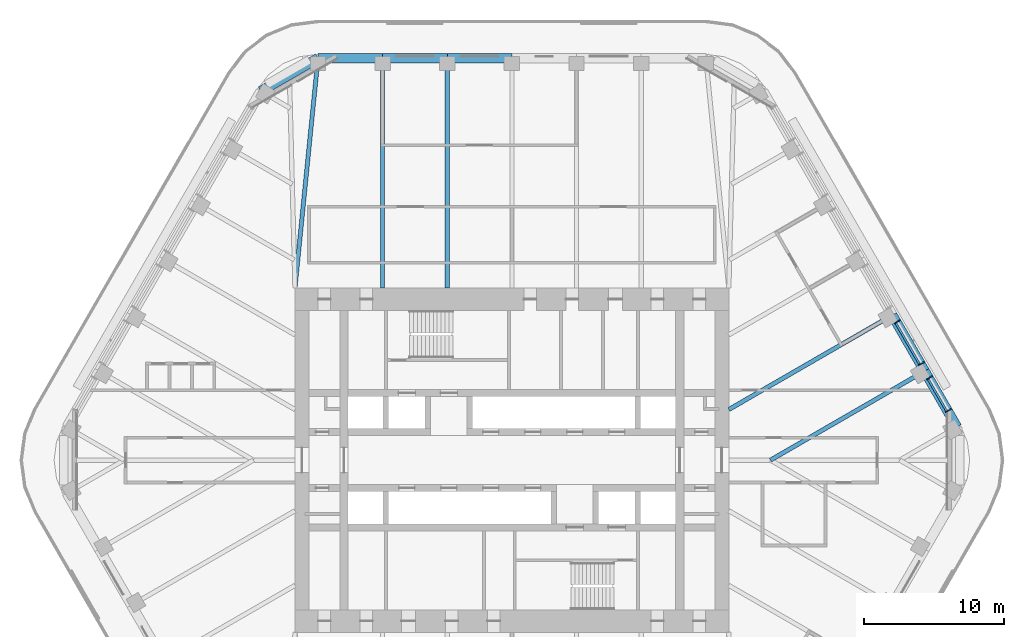
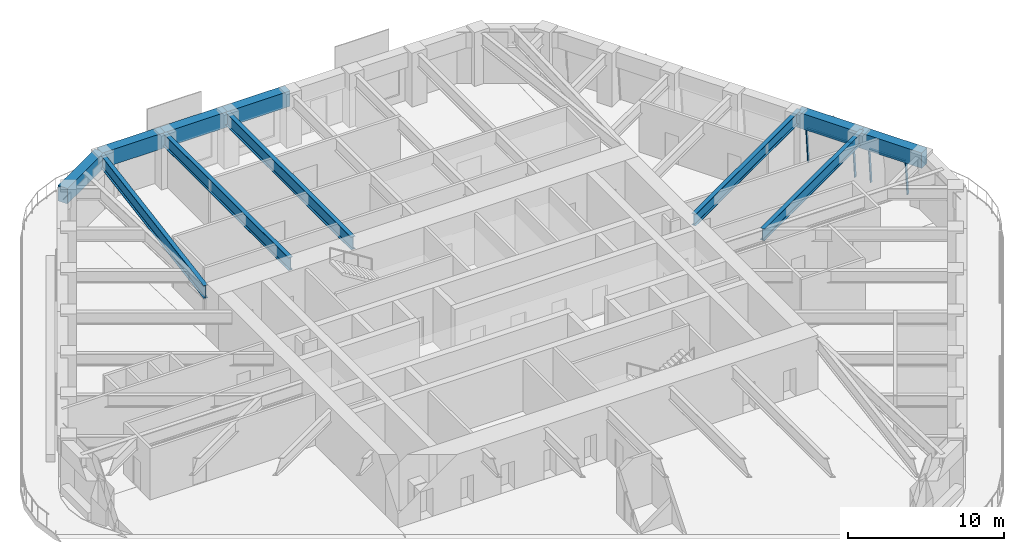
# One storey, part 9 of 20: 11 beams, 6 members, 2 elements without a shape of their own.
"""IFC4 building model written with IfcOpenShell, lengths in metres."""

from ifc_helpers import new_model, si_unit, direction, frame, origin, origin_2d, place, context, subcontext, project, spatial, rectangle, i_section, extrude, material, material_profile, profile_set, type_object, element, aggregate, save


model = new_model("IFC4")

# Units and contexts
model_context = context("Model", 3, precision=1e-05, world=origin(), true_north=direction((0.0, 1.0)))
body_context = subcontext(model_context, "Body", "Model", "MODEL_VIEW")
ifc_project = project(units=[si_unit("LENGTHUNIT", "METRE"), si_unit("AREAUNIT", "SQUARE_METRE"), si_unit("VOLUMEUNIT", "CUBIC_METRE"), si_unit("PLANEANGLEUNIT", "RADIAN"), si_unit("MASSUNIT", "GRAM", prefix="KILO")], contexts=[model_context])

# Site, building, storey
site_placement = place(None, origin())
site = spatial("IfcSite", under=ifc_project, at=site_placement, CompositionType="ELEMENT")
building_placement = place(site_placement, origin())
building = spatial("IfcBuilding", under=site, at=building_placement, Name="Tarfa Lantern Tower", CompositionType="ELEMENT")
storey_placement = place(building_placement, frame((0.0, 0.0, 278.5)))
storey = spatial("IfcBuildingStorey", under=building, at=storey_placement, Name="L63", CompositionType="ELEMENT", Elevation=278.5)

# Curtain wall, members
ifc_material_1 = material(Name="Aluminium framed curtain wall", Category="aluminium")
curtain_wall_type = type_object("IfcCurtainWallType", Name="CW3 CANTED GLAZING HIGH ZONE 2800", PredefinedType="USERDEFINED", material=ifc_material_1)
curtain_wall_1_placement = place(storey_placement, origin())
curtain_wall_1 = element("IfcCurtainWall", 1, at=curtain_wall_1_placement, inside=storey, type_object=curtain_wall_type, Name="CW3 NE L63", ObjectType="CURTAIN WALL", PredefinedType="USERDEFINED")
ifc_material_2 = material(Name="Aluminium mullion", Category="aluminium")
ifc_material_profile_1 = material_profile(ifc_material_2, rectangle(XDim=0.06494140625, YDim=0.199951171875, at=origin_2d()), Name="AL MULLION 65x200")
ifc_profile_set_1 = profile_set([ifc_material_profile_1], Name="Aluminium mullion")
member_type_1 = type_object("IfcMemberType", Name="CWM1 MULLION 65x200", PredefinedType="MULLION", material=ifc_profile_set_1)
member_1_placement = place(storey_placement, frame((31.2900390625, 3.60400390625, 0.0), z_axis=(-0.077032386753, -0.044465143199, 0.996036576854), x_axis=(0.499919672301, -0.866071776036, 0.0)))
member_1 = element("IfcMember", 2, at=member_1_placement, type_object=member_type_1, Name="CW3 mullion 1", PredefinedType="MULLION", context=body_context, shape_type="SweptSolid", body=[
    extrude(rectangle(XDim=0.06494140625, YDim=0.199951171875, at=origin_2d()), origin(), (0.0, 0.0, 1.0), 2.811279296875),
])
member_2_placement = place(storey_placement, frame((29.938232421875, 5.945556640625, 0.0), z_axis=(-0.077032386753, -0.044465143199, 0.996036576854), x_axis=(0.499919672301, -0.866071776036, 0.0)))
member_2 = element("IfcMember", 3, at=member_2_placement, type_object=member_type_1, Name="CW3 mullion 2", PredefinedType="MULLION", context=body_context, shape_type="SweptSolid", body=[
    extrude(rectangle(XDim=0.06494140625, YDim=0.199951171875, at=origin_2d()), origin(), (0.0, 0.0, 1.0), 2.811279296875),
])

curtain_wall_2_placement = place(storey_placement, origin())
curtain_wall_2 = element("IfcCurtainWall", 4, at=curtain_wall_2_placement, inside=storey, type_object=curtain_wall_type, Name="CW3 NE L63", ObjectType="CURTAIN WALL", PredefinedType="USERDEFINED")
member_3_placement = place(storey_placement, frame((29.355712890625, 6.954345703125, 0.0), z_axis=(-0.077032386753, -0.044465143199, 0.996036576854), x_axis=(0.499919672301, -0.866071776036, 0.0)))
member_3 = element("IfcMember", 5, at=member_3_placement, type_object=member_type_1, Name="CW3 mullion 1", PredefinedType="MULLION", context=body_context, shape_type="SweptSolid", body=[
    extrude(rectangle(XDim=0.06494140625, YDim=0.199951171875, at=origin_2d()), origin(), (0.0, 0.0, 1.0), 2.811279296875),
])
member_4_placement = place(storey_placement, frame((27.62890625, 9.945556640625, 0.0), z_axis=(-0.077032386753, -0.044465143199, 0.996036576854), x_axis=(0.499919672301, -0.866071776036, 0.0)))
member_4 = element("IfcMember", 6, at=member_4_placement, type_object=member_type_1, Name="CW3 mullion 2", PredefinedType="MULLION", context=body_context, shape_type="SweptSolid", body=[
    extrude(rectangle(XDim=0.06494140625, YDim=0.199951171875, at=origin_2d()), origin(), (0.0, 0.0, 1.0), 2.811279296875),
])

# Member
ifc_material_3 = material(Name="Aluminium transom", Category="aluminium")
ifc_material_profile_2 = material_profile(ifc_material_3, rectangle(XDim=0.14990234375, YDim=0.06494140625, at=origin_2d()), Name="AL TRANSOM 150x65")
ifc_profile_set_2 = profile_set([ifc_material_profile_2], Name="Aluminium transom")
member_type_2 = type_object("IfcMemberType", Name="CWT1 TRANSOM 150x65", PredefinedType="USERDEFINED", material=ifc_profile_set_2)
member_5_placement = place(storey_placement, frame((31.059814453125, 3.508544921875, 2.767578125), z_axis=(-0.499960041298, 0.866048472723, 0.0), x_axis=(-0.866048472723, -0.499960041298, 0.0)))
member_5 = element("IfcMember", 7, at=member_5_placement, type_object=member_type_2, Name="CW3 transom 1.2", ObjectType="TRANSOM", PredefinedType="USERDEFINED", context=body_context, shape_type="SweptSolid", body=[
    extrude(rectangle(XDim=0.14990234375, YDim=0.06494140625, at=origin_2d()), origin(), (0.0, 0.0, 1.0), 2.638916015625),
])

aggregate(curtain_wall_1, [member_1, member_2, member_5])

member_6_placement = place(storey_placement, frame((29.12548828125, 6.859130859375, 2.767578125), z_axis=(-0.499982299553, 0.866035622901, 0.0), x_axis=(-0.866035622901, -0.499982299553, 0.0)))
member_6 = element("IfcMember", 8, at=member_6_placement, type_object=member_type_2, Name="CW3 transom 1.2", ObjectType="TRANSOM", PredefinedType="USERDEFINED", context=body_context, shape_type="SweptSolid", body=[
    extrude(rectangle(XDim=0.14990234375, YDim=0.06494140625, at=origin_2d()), origin(), (0.0, 0.0, 1.0), 3.388671875),
])

aggregate(curtain_wall_2, [member_3, member_4, member_6])

# Beams
ifc_material_4 = material(Name="Concrete C80/95", Category="concrete")
ifc_material_profile_3 = material_profile(ifc_material_4, rectangle(XDim=0.699951171875, YDim=1.199951171875, at=origin_2d()), Name="RC 700x1200")
ifc_profile_set_3 = profile_set([ifc_material_profile_3], Name="Concrete C80/95")
beam_type_1 = type_object("IfcBeamType", Name="EB3 RC 700x1200", PredefinedType="SPANDREL", material=ifc_profile_set_3)
beam_1_placement = place(storey_placement, frame((31.800537109375, 2.360107421875, 3.39990234375), z_axis=(-0.500027479704, 0.866009537788, 0.0), x_axis=(-0.866009537788, -0.500027479704, 0.0)))
element("IfcBeam", 9, at=beam_1_placement, inside=storey, type_object=beam_type_1, Name="Edge beam NE0", PredefinedType="SPANDREL", context=body_context, shape_type="SweptSolid", body=[
    extrude(rectangle(XDim=0.699951171875, YDim=1.199951171875, at=origin_2d()), origin(), (0.0, 0.0, 1.0), 4.618896484375),
])
beam_2_placement = place(storey_placement, frame((29.490966796875, 6.360107421875, 3.39990234375), z_axis=(-0.499987836815, 0.866032426089, 0.0), x_axis=(-0.866032426089, -0.499987836815, 0.0)))
element("IfcBeam", 10, at=beam_2_placement, inside=storey, type_object=beam_type_1, Name="Edge beam NE1", PredefinedType="SPANDREL", context=body_context, shape_type="SweptSolid", body=[
    extrude(rectangle(XDim=0.699951171875, YDim=1.199951171875, at=origin_2d()), origin(), (0.0, 0.0, 1.0), 4.61865234375),
])
beam_3_placement = place(storey_placement, frame((0.0, 28.719970703125, 3.39990234375), z_axis=(-1.0, 0.0, 0.0), x_axis=(0.0, -1.0, 0.0)))
element("IfcBeam", 11, at=beam_3_placement, inside=storey, type_object=beam_type_1, Name="Edge beam N3", PredefinedType="SPANDREL", context=body_context, shape_type="SweptSolid", body=[
    extrude(rectangle(XDim=0.699951171875, YDim=1.199951171875, at=origin_2d()), origin(), (0.0, 0.0, 1.0), 4.618896484375),
])
beam_4_placement = place(storey_placement, frame((-4.618896484375, 28.719970703125, 3.39990234375), z_axis=(-1.0, 0.0, 0.0), x_axis=(0.0, -1.0, 0.0)))
element("IfcBeam", 12, at=beam_4_placement, inside=storey, type_object=beam_type_1, Name="Edge beam N4", PredefinedType="SPANDREL", context=body_context, shape_type="SweptSolid", body=[
    extrude(rectangle(XDim=0.699951171875, YDim=1.199951171875, at=origin_2d()), origin(), (0.0, 0.0, 1.0), 4.61865234375),
])
beam_5_placement = place(storey_placement, frame((-9.237548828125, 28.719970703125, 3.39990234375), z_axis=(-1.0, 0.0, 0.0), x_axis=(0.0, -1.0, 0.0)))
element("IfcBeam", 13, at=beam_5_placement, inside=storey, type_object=beam_type_1, Name="Edge beam N5", PredefinedType="SPANDREL", context=body_context, shape_type="SweptSolid", body=[
    extrude(rectangle(XDim=0.699951171875, YDim=1.199951171875, at=origin_2d()), origin(), (0.0, 0.0, 1.0), 4.618896484375),
])
beam_6_placement = place(storey_placement, frame((-13.8564453125, 28.719970703125, 3.39990234375), z_axis=(-0.866038294681, -0.499977671647, 0.0), x_axis=(0.499977671647, -0.866038294681, 0.0)))
element("IfcBeam", 14, at=beam_6_placement, inside=storey, type_object=beam_type_1, Name="Edge beam N6", PredefinedType="SPANDREL", context=body_context, shape_type="SweptSolid", body=[
    extrude(rectangle(XDim=0.699951171875, YDim=1.199951171875, at=origin_2d()), origin(), (0.0, 0.0, 1.0), 4.719970703125),
])
ifc_material_5 = material(Name="Steel S460M", Category="steel")
ifc_material_profile_4 = material_profile(ifc_material_5, i_section(OverallWidth=0.302001953125, OverallDepth=1.008056640625, WebThickness=0.02099609375, FlangeThickness=0.0400390625, FilletRadius=0.030029296875, at=origin_2d()), Name="UB1016x305x349")
ifc_profile_set_4 = profile_set([ifc_material_profile_4], Name="Steel S460M")
beam_type_2 = type_object("IfcBeamType", Name="UB1016x305x349", PredefinedType="BEAM", material=ifc_profile_set_4)
for number, where, z_axis, x_axis, name in (
    (15, (-4.618896484375, 28.719970703125, 3.495849609375), (0.0, -1.0, 0.0), (1.0, 0.0, 0.0), "Floor beam N4"),
    (16, (-9.237548828125, 28.719970703125, 3.495849609375), (0.0, -1.0, 0.0), (1.0, 0.0, 0.0), "Floor beam N5"),
):
    element("IfcBeam", number, at=place(storey_placement, frame(where, z_axis=z_axis, x_axis=x_axis)), inside=storey, type_object=beam_type_2, Name=name, PredefinedType="BEAM", context=body_context, shape_type="SweptSolid", body=[
        extrude(i_section(OverallWidth=0.302001953125, OverallDepth=1.008056640625, WebThickness=0.02099609375, FlangeThickness=0.0400390625, FilletRadius=0.030029296875, at=origin_2d()), origin(), (0.0, 0.0, 1.0), 16.419921875),
    ])
beam_7_placement = place(storey_placement, frame((-13.8564453125, 28.719970703125, 3.495849609375), z_axis=(-0.099597466746, -0.995027810977, 0.0), x_axis=(0.995027810977, -0.099597466746, 0.0)))
element("IfcBeam", 17, at=beam_7_placement, inside=storey, type_object=beam_type_2, Name="Floor beam N6", PredefinedType="BEAM", context=body_context, shape_type="SweptSolid", body=[
    extrude(i_section(OverallWidth=0.302001953125, OverallDepth=1.008056640625, WebThickness=0.02099609375, FlangeThickness=0.0400390625, FilletRadius=0.030029296875, at=origin_2d()), origin(), (0.0, 0.0, 1.0), 16.501953125),
])
ifc_material_profile_5 = material_profile(ifc_material_5, i_section(OverallWidth=0.305419921875, OverallDepth=0.91845703125, WebThickness=0.017333984375, FlangeThickness=0.02783203125, FilletRadius=0.01904296875, at=origin_2d()), Name="UB914x305x253")
ifc_profile_set_5 = profile_set([ifc_material_profile_5], Name="Steel S460M")
beam_type_3 = type_object("IfcBeamType", Name="UB914x305x253", PredefinedType="BEAM", material=ifc_profile_set_5)
beam_8_placement = place(storey_placement, frame((29.490966796875, 6.360107421875, 3.540771484375), z_axis=(-0.866022258038, -0.500005448553, 0.0), x_axis=(0.500005448553, -0.866022258038, 0.0)))
element("IfcBeam", 18, at=beam_8_placement, inside=storey, type_object=beam_type_3, Name="Floor beam NE1", PredefinedType="BEAM", context=body_context, shape_type="SweptSolid", body=[
    extrude(i_section(OverallWidth=0.305419921875, OverallDepth=0.91845703125, WebThickness=0.017333984375, FlangeThickness=0.02783203125, FilletRadius=0.01904296875, at=origin_2d()), origin(), (0.0, 0.0, 1.0), 12.719970703125),
])
beam_9_placement = place(storey_placement, frame((27.181640625, 10.360107421875, 3.540771484375), z_axis=(-0.866018002818, -0.500012818631, 0.0), x_axis=(0.500012818631, -0.866018002818, 0.0)))
element("IfcBeam", 19, at=beam_9_placement, inside=storey, type_object=beam_type_3, Name="Floor beam NE2", PredefinedType="BEAM", context=body_context, shape_type="SweptSolid", body=[
    extrude(i_section(OverallWidth=0.305419921875, OverallDepth=0.91845703125, WebThickness=0.017333984375, FlangeThickness=0.02783203125, FilletRadius=0.01904296875, at=origin_2d()), origin(), (0.0, 0.0, 1.0), 13.489013671875),
])

save(model, "model.ifc")
